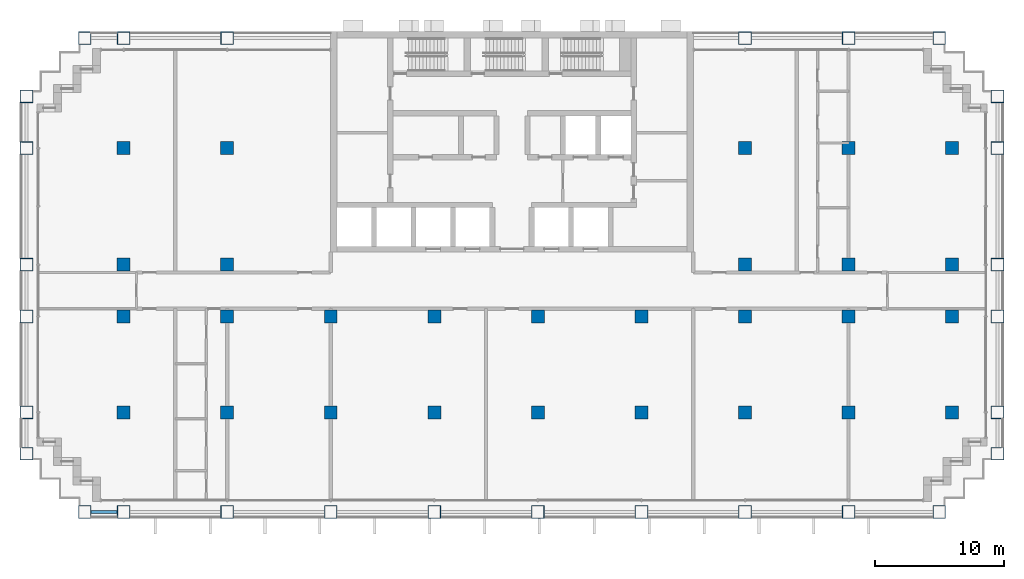
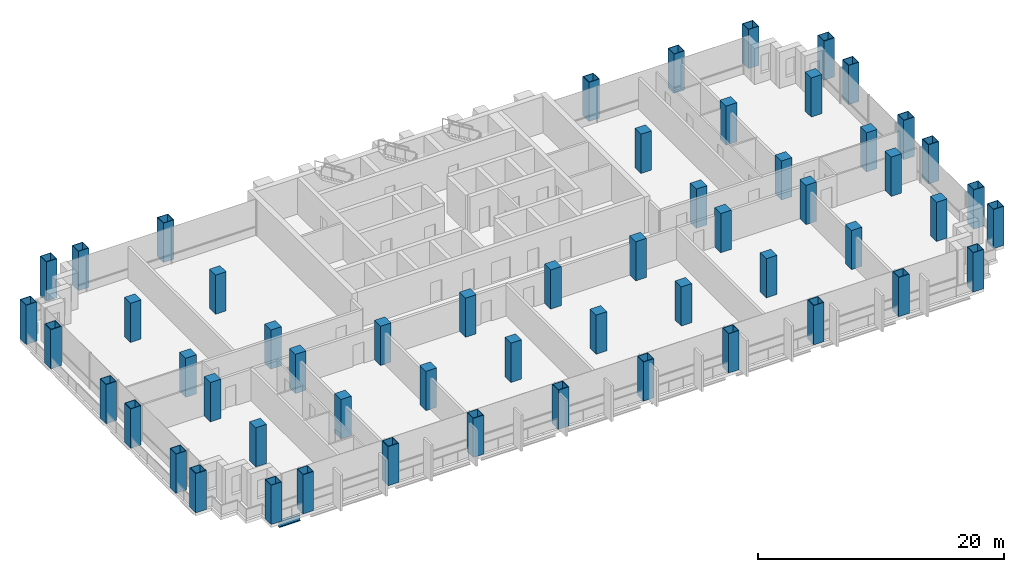
# One storey, part 1 of 13: 56 columns, 1 beam.
"""IFC4 building model written with IfcOpenShell, lengths in metres."""

from ifc_helpers import new_model, si_unit, direction, frame, origin, origin_2d, place, context, subcontext, project, spatial, rectangle, hollow_rectangle, i_section, extrude, material, material_profile, profile_set, type_object, element, save


model = new_model("IFC4")

# Units and contexts
model_context = context("Model", 3, precision=1e-05, world=origin(), true_north=direction((0.0, 1.0)))
body_context = subcontext(model_context, "Body", "Model", "MODEL_VIEW")
ifc_project = project(units=[si_unit("LENGTHUNIT", "METRE"), si_unit("AREAUNIT", "SQUARE_METRE"), si_unit("VOLUMEUNIT", "CUBIC_METRE"), si_unit("PLANEANGLEUNIT", "RADIAN"), si_unit("MASSUNIT", "GRAM", prefix="KILO")], contexts=[model_context])

# Site, building, storey
site_placement = place(None, origin())
site = spatial("IfcSite", under=ifc_project, at=site_placement, CompositionType="ELEMENT")
building_placement = place(site_placement, origin())
building = spatial("IfcBuilding", under=site, at=building_placement, Name="Vidyagriha Tower", CompositionType="ELEMENT")
storey_placement = place(building_placement, frame((0.0, 0.0, 33.800048828125)))
storey = spatial("IfcBuildingStorey", under=building, at=storey_placement, Name="L08", CompositionType="ELEMENT", Elevation=33.800048828125)

# Columns
ifc_material_1 = material(Name="Steel ASTM A572 Grade 50", Category="steel")
ifc_material_profile_1 = material_profile(ifc_material_1, hollow_rectangle(XDim=1.0, YDim=1.0, WallThickness=0.050048828125, at=origin_2d()), Name="BOX 1000x1000x50")
ifc_profile_set_1 = profile_set([ifc_material_profile_1], Name="Steel ASTM A572 Grade 50")
column_type_1 = type_object("IfcColumnType", Name="Exoskeleton column BOX 1000x1000x50", PredefinedType="COLUMN", material=ifc_profile_set_1)
for number, where, name in (
    (1, (-33.0, -17.10009765625, 0.0), "st-col-L08-B1-001"),
    (2, (-30.0, -17.10009765625, 0.0), "st-col-L08-B1-002"),
    (3, (-22.0, -17.10009765625, 0.0), "st-col-L08-B1-003"),
    (4, (-14.0, -17.10009765625, 0.0), "st-col-L08-B1-004"),
    (5, (-6.0, -17.10009765625, 0.0), "st-col-L08-B1-005"),
    (6, (2.0, -17.10009765625, 0.0), "st-col-L08-B1-006"),
    (7, (10.0, -17.10009765625, 0.0), "st-col-L08-B1-007"),
    (8, (18.0, -17.10009765625, 0.0), "st-col-L08-B1-008"),
    (9, (26.0, -17.10009765625, 0.0), "st-col-L08-B1-009"),
    (10, (33.0, -17.10009765625, 0.0), "st-col-L08-B1-010"),
    (11, (-37.5, -12.60009765625, 0.0), "st-col-L08-B1-011"),
    (12, (37.5, -12.60009765625, 0.0), "st-col-L08-B1-012"),
    (13, (-37.5, -9.39990234375, 0.0), "st-col-L08-B1-013"),
    (14, (37.5, -9.39990234375, 0.0), "st-col-L08-B1-023"),
    (15, (-37.5, -2.0, 0.0), "st-col-L08-B1-024"),
    (16, (37.5, -2.0, 0.0), "st-col-L08-B1-034"),
    (17, (-37.5, 2.0, 0.0), "st-col-L08-B1-035"),
    (18, (37.5, 2.0, 0.0), "st-col-L08-B1-041"),
    (19, (-37.5, 11.0, 0.0), "st-col-L08-B1-042"),
    (20, (37.5, 11.0, 0.0), "st-col-L08-B1-048"),
    (21, (-37.5, 15.0, 0.0), "st-col-L08-B1-049"),
    (22, (37.5, 15.0, 0.0), "st-col-L08-B1-050"),
    (23, (-33.0, 19.5, 0.0), "st-col-L08-B1-051"),
    (24, (-30.0, 19.5, 0.0), "st-col-L08-B1-052"),
    (25, (-22.0, 19.5, 0.0), "st-col-L08-B1-053"),
    (26, (18.0, 19.5, 0.0), "st-col-L08-B1-054"),
    (27, (26.0, 19.5, 0.0), "st-col-L08-B1-055"),
    (28, (33.0, 19.5, 0.0), "st-col-L08-B1-056"),
):
    element("IfcColumn", number, at=place(storey_placement, frame(where)), inside=storey, type_object=column_type_1, Name=name, PredefinedType="COLUMN", context=body_context, shape_type="SweptSolid", body=[
        extrude(hollow_rectangle(XDim=1.0, YDim=1.0, WallThickness=0.050048828125, at=origin_2d()), origin(), (0.0, 0.0, 1.0), 3.89990234375),
    ])
ifc_material_2 = material(Name="Concrete C80/95", Category="concrete")
ifc_material_profile_2 = material_profile(ifc_material_2, rectangle(XDim=1.0, YDim=1.0, at=origin_2d()), Name="RC 1000x1000")
ifc_profile_set_2 = profile_set([ifc_material_profile_2], Name="Concrete C80/95")
column_type_2 = type_object("IfcColumnType", Name="Frame column RC 1000x1000", PredefinedType="COLUMN", material=ifc_profile_set_2)
for number, where, name in (
    (29, (-30.0, -9.39990234375, 0.0), "st-col-L08-B1-014"),
    (30, (-22.0, -9.39990234375, 0.0), "st-col-L08-B1-015"),
    (31, (-14.0, -9.39990234375, 0.0), "st-col-L08-B1-016"),
    (32, (-6.0, -9.39990234375, 0.0), "st-col-L08-B1-017"),
    (33, (2.0, -9.39990234375, 0.0), "st-col-L08-B1-018"),
    (34, (10.0, -9.39990234375, 0.0), "st-col-L08-B1-019"),
    (35, (18.0, -9.39990234375, 0.0), "st-col-L08-B1-020"),
    (36, (26.0, -9.39990234375, 0.0), "st-col-L08-B1-021"),
    (37, (34.0, -9.39990234375, 0.0), "st-col-L08-B1-022"),
    (38, (-30.0, -2.0, 0.0), "st-col-L08-B1-025"),
    (39, (-22.0, -2.0, 0.0), "st-col-L08-B1-026"),
    (40, (-14.0, -2.0, 0.0), "st-col-L08-B1-027"),
    (41, (-6.0, -2.0, 0.0), "st-col-L08-B1-028"),
    (42, (2.0, -2.0, 0.0), "st-col-L08-B1-029"),
    (43, (10.0, -2.0, 0.0), "st-col-L08-B1-030"),
    (44, (18.0, -2.0, 0.0), "st-col-L08-B1-031"),
    (45, (26.0, -2.0, 0.0), "st-col-L08-B1-032"),
    (46, (34.0, -2.0, 0.0), "st-col-L08-B1-033"),
    (47, (-30.0, 2.0, 0.0), "st-col-L08-B1-036"),
    (48, (-22.0, 2.0, 0.0), "st-col-L08-B1-037"),
    (49, (18.0, 2.0, 0.0), "st-col-L08-B1-038"),
    (50, (26.0, 2.0, 0.0), "st-col-L08-B1-039"),
    (51, (34.0, 2.0, 0.0), "st-col-L08-B1-040"),
    (52, (-30.0, 11.0, 0.0), "st-col-L08-B1-043"),
    (53, (-22.0, 11.0, 0.0), "st-col-L08-B1-044"),
    (54, (18.0, 11.0, 0.0), "st-col-L08-B1-045"),
    (55, (26.0, 11.0, 0.0), "st-col-L08-B1-046"),
    (56, (34.0, 11.0, 0.0), "st-col-L08-B1-047"),
):
    element("IfcColumn", number, at=place(storey_placement, frame(where)), inside=storey, type_object=column_type_2, Name=name, PredefinedType="COLUMN", context=body_context, shape_type="SweptSolid", body=[
        extrude(rectangle(XDim=1.0, YDim=1.0, at=origin_2d()), origin(), (0.0, 0.0, 1.0), 3.89990234375),
    ])

# Beam
ifc_material_3 = material(Name="Steel ASTM A992 Grade 50", Category="steel")
ifc_material_profile_3 = material_profile(ifc_material_3, i_section(OverallWidth=0.228271484375, OverallDepth=0.607177734375, WebThickness=0.01123046875, FlangeThickness=0.017333984375, at=origin_2d()), Name="W24X76")
ifc_profile_set_3 = profile_set([ifc_material_profile_3], Name="Steel ASTM A992 Grade 50")
beam_type = type_object("IfcBeamType", Name="Edge beam W24X76", PredefinedType="SPANDREL", material=ifc_profile_set_3)
beam_placement = place(storey_placement, frame((-32.5, -17.10009765625, -0.603515625), z_axis=(1.0, 0.0, 0.0), x_axis=(0.0, 1.0, 0.0)))
element("IfcBeam", 57, at=beam_placement, inside=storey, type_object=beam_type, Name="st-beam-L08-S01", PredefinedType="SPANDREL", context=body_context, shape_type="SweptSolid", body=[
    extrude(i_section(OverallWidth=0.228271484375, OverallDepth=0.607177734375, WebThickness=0.01123046875, FlangeThickness=0.017333984375, at=origin_2d()), origin(), (0.0, 0.0, 1.0), 2.0),
])

save(model, "model.ifc")
